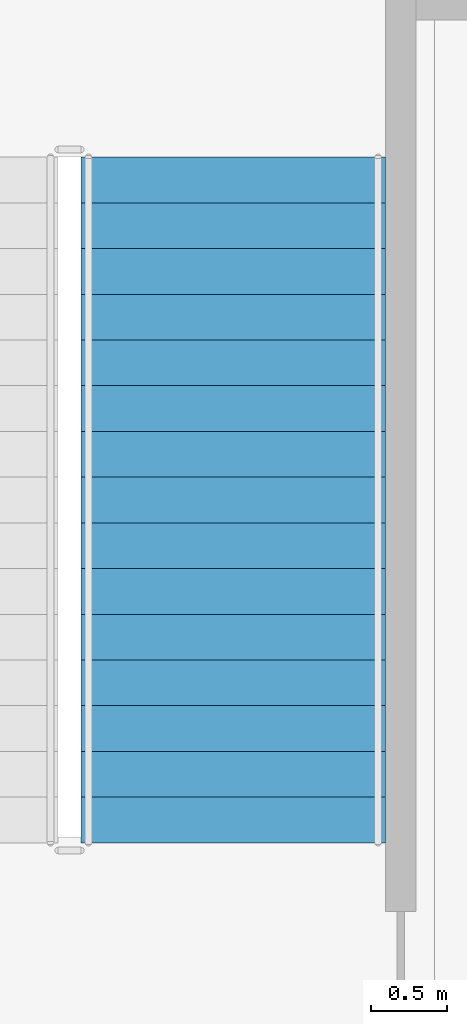
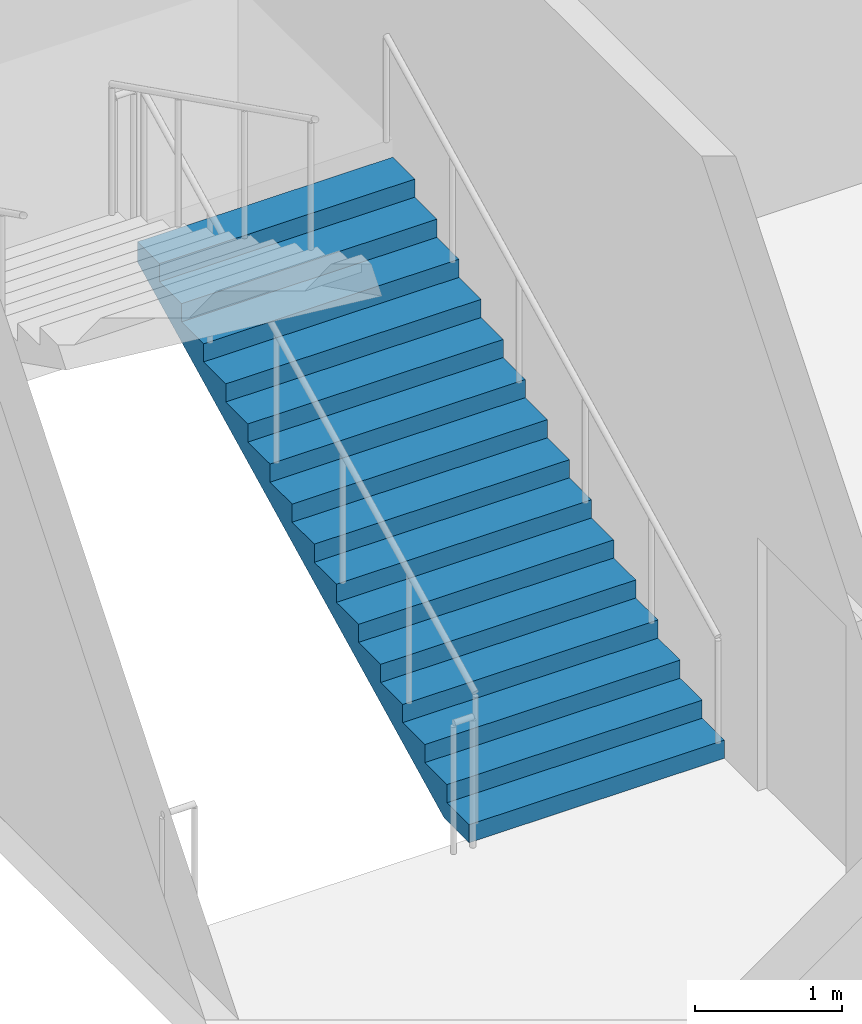
# One storey, part 46 of 91: 1 stair flight, 1 element without a shape of its own.
"""IFC4 building model written with IfcOpenShell, lengths in metres."""

from ifc_helpers import new_model, si_unit, direction, frame, origin, place, context, subcontext, project, spatial, faceted_brep, material, type_object, element, aggregate, save


model = new_model("IFC4")

# Units and contexts
model_context = context("Model", 3, precision=1e-05, world=origin(), true_north=direction((0.0, 1.0)))
body_context = subcontext(model_context, "Body", "Model", "MODEL_VIEW")
ifc_project = project(units=[si_unit("LENGTHUNIT", "METRE"), si_unit("AREAUNIT", "SQUARE_METRE"), si_unit("VOLUMEUNIT", "CUBIC_METRE"), si_unit("PLANEANGLEUNIT", "RADIAN"), si_unit("MASSUNIT", "GRAM", prefix="KILO")], contexts=[model_context])

# Site, building, storey
site_placement = place(None, origin())
site = spatial("IfcSite", under=ifc_project, at=site_placement, CompositionType="ELEMENT")
building_placement = place(site_placement, origin())
building = spatial("IfcBuilding", under=site, at=building_placement, Name="Kiln Court Media Centre", CompositionType="ELEMENT")
storey_placement = place(building_placement, frame((0.0, 0.0, 5.39990234375)))
storey = spatial("IfcBuildingStorey", under=building, at=storey_placement, Name="L01", CompositionType="ELEMENT", Elevation=5.39990234375)

# Stair, stair flight
ifc_material_1 = material(Name="Concrete C40/50", Category="concrete")
stair_type = type_object("IfcStairType", Name="Concrete C40/50 dog-leg stair 2000 wide, 150 riser", PredefinedType="HALF_TURN_STAIR", material=ifc_material_1)
stair_placement = place(storey_placement, origin())
stair = element("IfcStair", 1, at=stair_placement, inside=storey, type_object=stair_type, Name="ST-06 L01", PredefinedType="HALF_TURN_STAIR")
ifc_material_2 = material(Name="Concrete C40/50", Category="concrete")
stair_flight_type = type_object("IfcStairFlightType", Name="Concrete C40/50 stair flight 2000 wide, 150 riser, 300 going", PredefinedType="STRAIGHT", material=ifc_material_2)
stair_flight_placement = place(storey_placement, frame((3.60009765625, 36.39990234375, 0.0), z_axis=(0.0, 0.0, 1.0), x_axis=(0.0, 1.0, 0.0)))
stair_flight = element("IfcStairFlight", 2, at=stair_flight_placement, type_object=stair_flight_type, Name="L01-ST-5005 flight 5010", NumberOfRisers=16, NumberOfTreads=15, PredefinedType="STRAIGHT", RiserHeight=0.15, TreadLength=0.3, context=body_context, shape_type="Brep", body=[
    faceted_brep([(0.335205078125, -1.0, 0.0), (4.5, -1.0, 2.08251953125), (4.5, -1.0, 2.25), (4.199951171875, -1.0, 2.25), (4.199951171875, -1.0, 2.10009765625), (3.89990234375, -1.0, 2.10009765625), (3.89990234375, -1.0, 1.949951171875), (3.60009765625, -1.0, 1.949951171875), (3.60009765625, -1.0, 1.800048828125), (3.300048828125, -1.0, 1.800048828125), (3.300048828125, -1.0, 1.64990234375), (3.0, -1.0, 1.64990234375), (3.0, -1.0, 1.5), (2.699951171875, -1.0, 1.5), (2.699951171875, -1.0, 1.35009765625), (2.39990234375, -1.0, 1.35009765625), (2.39990234375, -1.0, 1.199951171875), (2.10009765625, -1.0, 1.199951171875), (2.10009765625, -1.0, 1.050048828125), (1.800048828125, -1.0, 1.050048828125), (1.800048828125, -1.0, 0.89990234375), (1.5, -1.0, 0.89990234375), (1.5, -1.0, 0.75), (1.199951171875, -1.0, 0.75), (1.199951171875, -1.0, 0.60009765625), (0.89990234375, -1.0, 0.60009765625), (0.89990234375, -1.0, 0.449951171875), (0.60009765625, -1.0, 0.449951171875), (0.60009765625, -1.0, 0.300048828125), (0.300048828125, -1.0, 0.300048828125), (0.300048828125, -1.0, 0.14990234375), (0.0, -1.0, 0.14990234375), (0.0, -1.0, 0.0), (0.0, 1.0, 0.0), (0.0, 1.0, 0.14990234375), (0.300048828125, 1.0, 0.14990234375), (0.300048828125, 1.0, 0.300048828125), (0.60009765625, 1.0, 0.300048828125), (0.60009765625, 1.0, 0.449951171875), (0.89990234375, 1.0, 0.449951171875), (0.89990234375, 1.0, 0.60009765625), (1.199951171875, 1.0, 0.60009765625), (1.199951171875, 1.0, 0.75), (1.5, 1.0, 0.75), (1.5, 1.0, 0.89990234375), (1.800048828125, 1.0, 0.89990234375), (1.800048828125, 1.0, 1.050048828125), (2.10009765625, 1.0, 1.050048828125), (2.10009765625, 1.0, 1.199951171875), (2.39990234375, 1.0, 1.199951171875), (2.39990234375, 1.0, 1.35009765625), (2.699951171875, 1.0, 1.35009765625), (2.699951171875, 1.0, 1.5), (3.0, 1.0, 1.5), (3.0, 1.0, 1.64990234375), (3.300048828125, 1.0, 1.64990234375), (3.300048828125, 1.0, 1.800048828125), (3.60009765625, 1.0, 1.800048828125), (3.60009765625, 1.0, 1.949951171875), (3.89990234375, 1.0, 1.949951171875), (3.89990234375, 1.0, 2.10009765625), (4.199951171875, 1.0, 2.10009765625), (4.199951171875, 1.0, 2.25), (4.5, 1.0, 2.25), (4.5, 1.0, 2.08251953125), (0.335205078125, 1.0, 0.0), (4.5, 0.10009765625, 2.08251953125), (0.335205078125, 0.10009765625, 0.0), (4.5, 0.080078125, 2.08251953125), (0.335205078125, 0.080078125, 0.0), (4.5, 0.06005859375, 2.08251953125), (0.335205078125, 0.06005859375, 0.0), (4.5, 0.0400390625, 2.08251953125), (0.335205078125, 0.0400390625, 0.0), (4.5, 0.02001953125, 2.08251953125), (0.335205078125, 0.02001953125, 0.0), (4.5, 0.0, 2.08251953125), (0.335205078125, 0.0, 0.0), (4.5, -0.02001953125, 2.08251953125), (0.335205078125, -0.02001953125, 0.0), (4.5, -0.0400390625, 2.08251953125), (0.335205078125, -0.0400390625, 0.0), (4.5, -0.06005859375, 2.08251953125), (0.335205078125, -0.06005859375, 0.0), (4.5, -0.080078125, 2.08251953125), (0.335205078125, -0.080078125, 0.0), (4.5, -0.10009765625, 2.08251953125), (0.335205078125, -0.10009765625, 0.0), (4.5, 0.10009765625, 2.25), (4.5, 0.080078125, 2.25), (4.5, 0.06005859375, 2.25), (4.5, 0.0400390625, 2.25), (4.5, 0.02001953125, 2.25), (4.5, 0.0, 2.25), (4.5, -0.02001953125, 2.25), (4.5, -0.0400390625, 2.25), (4.5, -0.06005859375, 2.25), (4.5, -0.080078125, 2.25), (4.5, -0.10009765625, 2.25), (4.199951171875, 0.10009765625, 2.25), (4.199951171875, 0.080078125, 2.25), (4.199951171875, 0.06005859375, 2.25), (4.199951171875, 0.0400390625, 2.25), (4.199951171875, 0.02001953125, 2.25), (4.199951171875, 0.0, 2.25), (4.199951171875, -0.02001953125, 2.25), (4.199951171875, -0.0400390625, 2.25), (4.199951171875, -0.06005859375, 2.25), (4.199951171875, -0.080078125, 2.25), (4.199951171875, -0.10009765625, 2.25), (4.199951171875, 0.10009765625, 2.10009765625), (4.199951171875, 0.080078125, 2.10009765625), (4.199951171875, 0.06005859375, 2.10009765625), (4.199951171875, 0.0400390625, 2.10009765625), (4.199951171875, 0.02001953125, 2.10009765625), (4.199951171875, 0.0, 2.10009765625), (4.199951171875, -0.02001953125, 2.10009765625), (4.199951171875, -0.0400390625, 2.10009765625), (4.199951171875, -0.06005859375, 2.10009765625), (4.199951171875, -0.080078125, 2.10009765625), (4.199951171875, -0.10009765625, 2.10009765625), (3.89990234375, 0.10009765625, 2.10009765625), (3.89990234375, 0.080078125, 2.10009765625), (3.89990234375, 0.06005859375, 2.10009765625), (3.89990234375, 0.0400390625, 2.10009765625), (3.89990234375, 0.02001953125, 2.10009765625), (3.89990234375, 0.0, 2.10009765625), (3.89990234375, -0.02001953125, 2.10009765625), (3.89990234375, -0.0400390625, 2.10009765625), (3.89990234375, -0.06005859375, 2.10009765625), (3.89990234375, -0.080078125, 2.10009765625), (3.89990234375, -0.10009765625, 2.10009765625), (3.89990234375, 0.10009765625, 1.949951171875), (3.89990234375, 0.080078125, 1.949951171875), (3.89990234375, 0.06005859375, 1.949951171875), (3.89990234375, 0.0400390625, 1.949951171875), (3.89990234375, 0.02001953125, 1.949951171875), (3.89990234375, 0.0, 1.949951171875), (3.89990234375, -0.02001953125, 1.949951171875), (3.89990234375, -0.0400390625, 1.949951171875), (3.89990234375, -0.06005859375, 1.949951171875), (3.89990234375, -0.080078125, 1.949951171875), (3.89990234375, -0.10009765625, 1.949951171875), (3.60009765625, 0.10009765625, 1.949951171875), (3.60009765625, 0.080078125, 1.949951171875), (3.60009765625, 0.06005859375, 1.949951171875), (3.60009765625, 0.0400390625, 1.949951171875), (3.60009765625, 0.02001953125, 1.949951171875), (3.60009765625, 0.0, 1.949951171875), (3.60009765625, -0.02001953125, 1.949951171875), (3.60009765625, -0.0400390625, 1.949951171875), (3.60009765625, -0.06005859375, 1.949951171875), (3.60009765625, -0.080078125, 1.949951171875), (3.60009765625, -0.10009765625, 1.949951171875), (3.60009765625, 0.10009765625, 1.800048828125), (3.60009765625, 0.080078125, 1.800048828125), (3.60009765625, 0.06005859375, 1.800048828125), (3.60009765625, 0.0400390625, 1.800048828125), (3.60009765625, 0.02001953125, 1.800048828125), (3.60009765625, 0.0, 1.800048828125), (3.60009765625, -0.02001953125, 1.800048828125), (3.60009765625, -0.0400390625, 1.800048828125), (3.60009765625, -0.06005859375, 1.800048828125), (3.60009765625, -0.080078125, 1.800048828125), (3.60009765625, -0.10009765625, 1.800048828125), (3.300048828125, 0.10009765625, 1.800048828125), (3.300048828125, 0.080078125, 1.800048828125), (3.300048828125, 0.06005859375, 1.800048828125), (3.300048828125, 0.0400390625, 1.800048828125), (3.300048828125, 0.02001953125, 1.800048828125), (3.300048828125, 0.0, 1.800048828125), (3.300048828125, -0.02001953125, 1.800048828125), (3.300048828125, -0.0400390625, 1.800048828125), (3.300048828125, -0.06005859375, 1.800048828125), (3.300048828125, -0.080078125, 1.800048828125), (3.300048828125, -0.10009765625, 1.800048828125), (3.300048828125, 0.10009765625, 1.64990234375), (3.300048828125, 0.080078125, 1.64990234375), (3.300048828125, 0.06005859375, 1.64990234375), (3.300048828125, 0.0400390625, 1.64990234375), (3.300048828125, 0.02001953125, 1.64990234375), (3.300048828125, 0.0, 1.64990234375), (3.300048828125, -0.02001953125, 1.64990234375), (3.300048828125, -0.0400390625, 1.64990234375), (3.300048828125, -0.06005859375, 1.64990234375), (3.300048828125, -0.080078125, 1.64990234375), (3.300048828125, -0.10009765625, 1.64990234375), (3.0, 0.10009765625, 1.64990234375), (3.0, 0.080078125, 1.64990234375), (3.0, 0.06005859375, 1.64990234375), (3.0, 0.0400390625, 1.64990234375), (3.0, 0.02001953125, 1.64990234375), (3.0, 0.0, 1.64990234375), (3.0, -0.02001953125, 1.64990234375), (3.0, -0.0400390625, 1.64990234375), (3.0, -0.06005859375, 1.64990234375), (3.0, -0.080078125, 1.64990234375), (3.0, -0.10009765625, 1.64990234375), (3.0, 0.10009765625, 1.5), (3.0, 0.080078125, 1.5), (3.0, 0.06005859375, 1.5), (3.0, 0.0400390625, 1.5), (3.0, 0.02001953125, 1.5), (3.0, 0.0, 1.5), (3.0, -0.02001953125, 1.5), (3.0, -0.0400390625, 1.5), (3.0, -0.06005859375, 1.5), (3.0, -0.080078125, 1.5), (3.0, -0.10009765625, 1.5), (2.699951171875, 0.10009765625, 1.5), (2.699951171875, 0.080078125, 1.5), (2.699951171875, 0.06005859375, 1.5), (2.699951171875, 0.0400390625, 1.5), (2.699951171875, 0.02001953125, 1.5), (2.699951171875, 0.0, 1.5), (2.699951171875, -0.02001953125, 1.5), (2.699951171875, -0.0400390625, 1.5), (2.699951171875, -0.06005859375, 1.5), (2.699951171875, -0.080078125, 1.5), (2.699951171875, -0.10009765625, 1.5), (2.699951171875, 0.10009765625, 1.35009765625), (2.699951171875, 0.080078125, 1.35009765625), (2.699951171875, 0.06005859375, 1.35009765625), (2.699951171875, 0.0400390625, 1.35009765625), (2.699951171875, 0.02001953125, 1.35009765625), (2.699951171875, 0.0, 1.35009765625), (2.699951171875, -0.02001953125, 1.35009765625), (2.699951171875, -0.0400390625, 1.35009765625), (2.699951171875, -0.06005859375, 1.35009765625), (2.699951171875, -0.080078125, 1.35009765625), (2.699951171875, -0.10009765625, 1.35009765625), (2.39990234375, 0.10009765625, 1.35009765625), (2.39990234375, 0.080078125, 1.35009765625), (2.39990234375, 0.06005859375, 1.35009765625), (2.39990234375, 0.0400390625, 1.35009765625), (2.39990234375, 0.02001953125, 1.35009765625), (2.39990234375, 0.0, 1.35009765625), (2.39990234375, -0.02001953125, 1.35009765625), (2.39990234375, -0.0400390625, 1.35009765625), (2.39990234375, -0.06005859375, 1.35009765625), (2.39990234375, -0.080078125, 1.35009765625), (2.39990234375, -0.10009765625, 1.35009765625), (2.39990234375, 0.10009765625, 1.199951171875), (2.39990234375, 0.080078125, 1.199951171875), (2.39990234375, 0.06005859375, 1.199951171875), (2.39990234375, 0.0400390625, 1.199951171875), (2.39990234375, 0.02001953125, 1.199951171875), (2.39990234375, 0.0, 1.199951171875), (2.39990234375, -0.02001953125, 1.199951171875), (2.39990234375, -0.0400390625, 1.199951171875), (2.39990234375, -0.06005859375, 1.199951171875), (2.39990234375, -0.080078125, 1.199951171875), (2.39990234375, -0.10009765625, 1.199951171875), (2.10009765625, 0.10009765625, 1.199951171875), (2.10009765625, 0.080078125, 1.199951171875), (2.10009765625, 0.06005859375, 1.199951171875), (2.10009765625, 0.0400390625, 1.199951171875), (2.10009765625, 0.02001953125, 1.199951171875), (2.10009765625, 0.0, 1.199951171875), (2.10009765625, -0.02001953125, 1.199951171875), (2.10009765625, -0.0400390625, 1.199951171875), (2.10009765625, -0.06005859375, 1.199951171875), (2.10009765625, -0.080078125, 1.199951171875), (2.10009765625, -0.10009765625, 1.199951171875), (2.10009765625, 0.10009765625, 1.050048828125), (2.10009765625, 0.080078125, 1.050048828125), (2.10009765625, 0.06005859375, 1.050048828125), (2.10009765625, 0.0400390625, 1.050048828125), (2.10009765625, 0.02001953125, 1.050048828125), (2.10009765625, 0.0, 1.050048828125), (2.10009765625, -0.02001953125, 1.050048828125), (2.10009765625, -0.0400390625, 1.050048828125), (2.10009765625, -0.06005859375, 1.050048828125), (2.10009765625, -0.080078125, 1.050048828125), (2.10009765625, -0.10009765625, 1.050048828125), (1.800048828125, 0.10009765625, 1.050048828125), (1.800048828125, 0.080078125, 1.050048828125), (1.800048828125, 0.06005859375, 1.050048828125), (1.800048828125, 0.0400390625, 1.050048828125), (1.800048828125, 0.02001953125, 1.050048828125), (1.800048828125, 0.0, 1.050048828125), (1.800048828125, -0.02001953125, 1.050048828125), (1.800048828125, -0.0400390625, 1.050048828125), (1.800048828125, -0.06005859375, 1.050048828125), (1.800048828125, -0.080078125, 1.050048828125), (1.800048828125, -0.10009765625, 1.050048828125), (1.800048828125, 0.10009765625, 0.89990234375), (1.800048828125, 0.080078125, 0.89990234375), (1.800048828125, 0.06005859375, 0.89990234375), (1.800048828125, 0.0400390625, 0.89990234375), (1.800048828125, 0.02001953125, 0.89990234375), (1.800048828125, 0.0, 0.89990234375), (1.800048828125, -0.02001953125, 0.89990234375), (1.800048828125, -0.0400390625, 0.89990234375), (1.800048828125, -0.06005859375, 0.89990234375), (1.800048828125, -0.080078125, 0.89990234375), (1.800048828125, -0.10009765625, 0.89990234375), (1.5, 0.10009765625, 0.89990234375), (1.5, 0.080078125, 0.89990234375), (1.5, 0.06005859375, 0.89990234375), (1.5, 0.0400390625, 0.89990234375), (1.5, 0.02001953125, 0.89990234375), (1.5, 0.0, 0.89990234375), (1.5, -0.02001953125, 0.89990234375), (1.5, -0.0400390625, 0.89990234375), (1.5, -0.06005859375, 0.89990234375), (1.5, -0.080078125, 0.89990234375), (1.5, -0.10009765625, 0.89990234375), (1.5, 0.10009765625, 0.75), (1.5, 0.080078125, 0.75), (1.5, 0.06005859375, 0.75), (1.5, 0.0400390625, 0.75), (1.5, 0.02001953125, 0.75), (1.5, 0.0, 0.75), (1.5, -0.02001953125, 0.75), (1.5, -0.0400390625, 0.75), (1.5, -0.06005859375, 0.75), (1.5, -0.080078125, 0.75), (1.5, -0.10009765625, 0.75), (1.199951171875, 0.10009765625, 0.75), (1.199951171875, 0.080078125, 0.75), (1.199951171875, 0.06005859375, 0.75), (1.199951171875, 0.0400390625, 0.75), (1.199951171875, 0.02001953125, 0.75), (1.199951171875, 0.0, 0.75), (1.199951171875, -0.02001953125, 0.75), (1.199951171875, -0.0400390625, 0.75), (1.199951171875, -0.06005859375, 0.75), (1.199951171875, -0.080078125, 0.75), (1.199951171875, -0.10009765625, 0.75), (1.199951171875, 0.10009765625, 0.60009765625), (1.199951171875, 0.080078125, 0.60009765625), (1.199951171875, 0.06005859375, 0.60009765625), (1.199951171875, 0.0400390625, 0.60009765625), (1.199951171875, 0.02001953125, 0.60009765625), (1.199951171875, 0.0, 0.60009765625), (1.199951171875, -0.02001953125, 0.60009765625), (1.199951171875, -0.0400390625, 0.60009765625), (1.199951171875, -0.06005859375, 0.60009765625), (1.199951171875, -0.080078125, 0.60009765625), (1.199951171875, -0.10009765625, 0.60009765625), (0.89990234375, 0.10009765625, 0.60009765625), (0.89990234375, 0.080078125, 0.60009765625), (0.89990234375, 0.06005859375, 0.60009765625), (0.89990234375, 0.0400390625, 0.60009765625), (0.89990234375, 0.02001953125, 0.60009765625), (0.89990234375, 0.0, 0.60009765625), (0.89990234375, -0.02001953125, 0.60009765625), (0.89990234375, -0.0400390625, 0.60009765625), (0.89990234375, -0.06005859375, 0.60009765625), (0.89990234375, -0.080078125, 0.60009765625), (0.89990234375, -0.10009765625, 0.60009765625), (0.89990234375, 0.10009765625, 0.449951171875), (0.89990234375, 0.080078125, 0.449951171875), (0.89990234375, 0.06005859375, 0.449951171875), (0.89990234375, 0.0400390625, 0.449951171875), (0.89990234375, 0.02001953125, 0.449951171875), (0.89990234375, 0.0, 0.449951171875), (0.89990234375, -0.02001953125, 0.449951171875), (0.89990234375, -0.0400390625, 0.449951171875), (0.89990234375, -0.06005859375, 0.449951171875), (0.89990234375, -0.080078125, 0.449951171875), (0.89990234375, -0.10009765625, 0.449951171875), (0.60009765625, 0.10009765625, 0.449951171875), (0.60009765625, 0.080078125, 0.449951171875), (0.60009765625, 0.06005859375, 0.449951171875), (0.60009765625, 0.0400390625, 0.449951171875), (0.60009765625, 0.02001953125, 0.449951171875), (0.60009765625, 0.0, 0.449951171875), (0.60009765625, -0.02001953125, 0.449951171875), (0.60009765625, -0.0400390625, 0.449951171875), (0.60009765625, -0.06005859375, 0.449951171875), (0.60009765625, -0.080078125, 0.449951171875), (0.60009765625, -0.10009765625, 0.449951171875), (0.60009765625, 0.10009765625, 0.300048828125), (0.60009765625, 0.080078125, 0.300048828125), (0.60009765625, 0.06005859375, 0.300048828125), (0.60009765625, 0.0400390625, 0.300048828125), (0.60009765625, 0.02001953125, 0.300048828125), (0.60009765625, 0.0, 0.300048828125), (0.60009765625, -0.02001953125, 0.300048828125), (0.60009765625, -0.0400390625, 0.300048828125), (0.60009765625, -0.06005859375, 0.300048828125), (0.60009765625, -0.080078125, 0.300048828125), (0.60009765625, -0.10009765625, 0.300048828125), (0.300048828125, 0.10009765625, 0.300048828125), (0.300048828125, 0.080078125, 0.300048828125), (0.300048828125, 0.06005859375, 0.300048828125), (0.300048828125, 0.0400390625, 0.300048828125), (0.300048828125, 0.02001953125, 0.300048828125), (0.300048828125, 0.0, 0.300048828125), (0.300048828125, -0.02001953125, 0.300048828125), (0.300048828125, -0.0400390625, 0.300048828125), (0.300048828125, -0.06005859375, 0.300048828125), (0.300048828125, -0.080078125, 0.300048828125), (0.300048828125, -0.10009765625, 0.300048828125), (0.300048828125, 0.10009765625, 0.14990234375), (0.300048828125, 0.080078125, 0.14990234375), (0.300048828125, 0.06005859375, 0.14990234375), (0.300048828125, 0.0400390625, 0.14990234375), (0.300048828125, 0.02001953125, 0.14990234375), (0.300048828125, 0.0, 0.14990234375), (0.300048828125, -0.02001953125, 0.14990234375), (0.300048828125, -0.0400390625, 0.14990234375), (0.300048828125, -0.06005859375, 0.14990234375), (0.300048828125, -0.080078125, 0.14990234375), (0.300048828125, -0.10009765625, 0.14990234375), (0.0, 0.10009765625, 0.14990234375), (0.0, 0.080078125, 0.14990234375), (0.0, 0.06005859375, 0.14990234375), (0.0, 0.0400390625, 0.14990234375), (0.0, 0.02001953125, 0.14990234375), (0.0, 0.0, 0.14990234375), (0.0, -0.02001953125, 0.14990234375), (0.0, -0.0400390625, 0.14990234375), (0.0, -0.06005859375, 0.14990234375), (0.0, -0.080078125, 0.14990234375), (0.0, -0.10009765625, 0.14990234375), (0.0, 0.10009765625, 0.0), (0.0, 0.080078125, 0.0), (0.0, 0.06005859375, 0.0), (0.0, 0.0400390625, 0.0), (0.0, 0.02001953125, 0.0), (0.0, 0.0, 0.0), (0.0, -0.02001953125, 0.0), (0.0, -0.0400390625, 0.0), (0.0, -0.06005859375, 0.0), (0.0, -0.080078125, 0.0), (0.0, -0.10009765625, 0.0)], [[[0, 1, 2, 3, 4, 5, 6, 7, 8, 9, 10, 11, 12, 13, 14, 15, 16, 17, 18, 19, 20, 21, 22, 23, 24, 25, 26, 27, 28, 29, 30, 31, 32]], [[33, 34, 35, 36, 37, 38, 39, 40, 41, 42, 43, 44, 45, 46, 47, 48, 49, 50, 51, 52, 53, 54, 55, 56, 57, 58, 59, 60, 61, 62, 63, 64, 65]], [[65, 64, 66, 67]], [[67, 66, 68, 69]], [[69, 68, 70, 71]], [[71, 70, 72, 73]], [[73, 72, 74, 75]], [[75, 74, 76, 77]], [[77, 76, 78, 79]], [[79, 78, 80, 81]], [[81, 80, 82, 83]], [[83, 82, 84, 85]], [[85, 84, 86, 87]], [[87, 86, 1, 0]], [[64, 63, 88, 66]], [[66, 88, 89, 68]], [[68, 89, 90, 70]], [[70, 90, 91, 72]], [[72, 91, 92, 74]], [[74, 92, 93, 76]], [[76, 93, 94, 78]], [[78, 94, 95, 80]], [[80, 95, 96, 82]], [[82, 96, 97, 84]], [[84, 97, 98, 86]], [[86, 98, 2, 1]], [[63, 62, 99, 88]], [[88, 99, 100, 89]], [[89, 100, 101, 90]], [[90, 101, 102, 91]], [[91, 102, 103, 92]], [[92, 103, 104, 93]], [[93, 104, 105, 94]], [[94, 105, 106, 95]], [[95, 106, 107, 96]], [[96, 107, 108, 97]], [[97, 108, 109, 98]], [[98, 109, 3, 2]], [[62, 61, 110, 99]], [[99, 110, 111, 100]], [[100, 111, 112, 101]], [[101, 112, 113, 102]], [[102, 113, 114, 103]], [[103, 114, 115, 104]], [[104, 115, 116, 105]], [[105, 116, 117, 106]], [[106, 117, 118, 107]], [[107, 118, 119, 108]], [[108, 119, 120, 109]], [[109, 120, 4, 3]], [[61, 60, 121, 110]], [[110, 121, 122, 111]], [[111, 122, 123, 112]], [[112, 123, 124, 113]], [[113, 124, 125, 114]], [[114, 125, 126, 115]], [[115, 126, 127, 116]], [[116, 127, 128, 117]], [[117, 128, 129, 118]], [[118, 129, 130, 119]], [[119, 130, 131, 120]], [[120, 131, 5, 4]], [[60, 59, 132, 121]], [[121, 132, 133, 122]], [[122, 133, 134, 123]], [[123, 134, 135, 124]], [[124, 135, 136, 125]], [[125, 136, 137, 126]], [[126, 137, 138, 127]], [[127, 138, 139, 128]], [[128, 139, 140, 129]], [[129, 140, 141, 130]], [[130, 141, 142, 131]], [[131, 142, 6, 5]], [[59, 58, 143, 132]], [[132, 143, 144, 133]], [[133, 144, 145, 134]], [[134, 145, 146, 135]], [[135, 146, 147, 136]], [[136, 147, 148, 137]], [[137, 148, 149, 138]], [[138, 149, 150, 139]], [[139, 150, 151, 140]], [[140, 151, 152, 141]], [[141, 152, 153, 142]], [[142, 153, 7, 6]], [[58, 57, 154, 143]], [[143, 154, 155, 144]], [[144, 155, 156, 145]], [[145, 156, 157, 146]], [[146, 157, 158, 147]], [[147, 158, 159, 148]], [[148, 159, 160, 149]], [[149, 160, 161, 150]], [[150, 161, 162, 151]], [[151, 162, 163, 152]], [[152, 163, 164, 153]], [[153, 164, 8, 7]], [[57, 56, 165, 154]], [[154, 165, 166, 155]], [[155, 166, 167, 156]], [[156, 167, 168, 157]], [[157, 168, 169, 158]], [[158, 169, 170, 159]], [[159, 170, 171, 160]], [[160, 171, 172, 161]], [[161, 172, 173, 162]], [[162, 173, 174, 163]], [[163, 174, 175, 164]], [[164, 175, 9, 8]], [[56, 55, 176, 165]], [[165, 176, 177, 166]], [[166, 177, 178, 167]], [[167, 178, 179, 168]], [[168, 179, 180, 169]], [[169, 180, 181, 170]], [[170, 181, 182, 171]], [[171, 182, 183, 172]], [[172, 183, 184, 173]], [[173, 184, 185, 174]], [[174, 185, 186, 175]], [[175, 186, 10, 9]], [[55, 54, 187, 176]], [[176, 187, 188, 177]], [[177, 188, 189, 178]], [[178, 189, 190, 179]], [[179, 190, 191, 180]], [[180, 191, 192, 181]], [[181, 192, 193, 182]], [[182, 193, 194, 183]], [[183, 194, 195, 184]], [[184, 195, 196, 185]], [[185, 196, 197, 186]], [[186, 197, 11, 10]], [[54, 53, 198, 187]], [[187, 198, 199, 188]], [[188, 199, 200, 189]], [[189, 200, 201, 190]], [[190, 201, 202, 191]], [[191, 202, 203, 192]], [[192, 203, 204, 193]], [[193, 204, 205, 194]], [[194, 205, 206, 195]], [[195, 206, 207, 196]], [[196, 207, 208, 197]], [[197, 208, 12, 11]], [[53, 52, 209, 198]], [[198, 209, 210, 199]], [[199, 210, 211, 200]], [[200, 211, 212, 201]], [[201, 212, 213, 202]], [[202, 213, 214, 203]], [[203, 214, 215, 204]], [[204, 215, 216, 205]], [[205, 216, 217, 206]], [[206, 217, 218, 207]], [[207, 218, 219, 208]], [[208, 219, 13, 12]], [[52, 51, 220, 209]], [[209, 220, 221, 210]], [[210, 221, 222, 211]], [[211, 222, 223, 212]], [[212, 223, 224, 213]], [[213, 224, 225, 214]], [[214, 225, 226, 215]], [[215, 226, 227, 216]], [[216, 227, 228, 217]], [[217, 228, 229, 218]], [[218, 229, 230, 219]], [[219, 230, 14, 13]], [[51, 50, 231, 220]], [[220, 231, 232, 221]], [[221, 232, 233, 222]], [[222, 233, 234, 223]], [[223, 234, 235, 224]], [[224, 235, 236, 225]], [[225, 236, 237, 226]], [[226, 237, 238, 227]], [[227, 238, 239, 228]], [[228, 239, 240, 229]], [[229, 240, 241, 230]], [[230, 241, 15, 14]], [[50, 49, 242, 231]], [[231, 242, 243, 232]], [[232, 243, 244, 233]], [[233, 244, 245, 234]], [[234, 245, 246, 235]], [[235, 246, 247, 236]], [[236, 247, 248, 237]], [[237, 248, 249, 238]], [[238, 249, 250, 239]], [[239, 250, 251, 240]], [[240, 251, 252, 241]], [[241, 252, 16, 15]], [[49, 48, 253, 242]], [[242, 253, 254, 243]], [[243, 254, 255, 244]], [[244, 255, 256, 245]], [[245, 256, 257, 246]], [[246, 257, 258, 247]], [[247, 258, 259, 248]], [[248, 259, 260, 249]], [[249, 260, 261, 250]], [[250, 261, 262, 251]], [[251, 262, 263, 252]], [[252, 263, 17, 16]], [[48, 47, 264, 253]], [[253, 264, 265, 254]], [[254, 265, 266, 255]], [[255, 266, 267, 256]], [[256, 267, 268, 257]], [[257, 268, 269, 258]], [[258, 269, 270, 259]], [[259, 270, 271, 260]], [[260, 271, 272, 261]], [[261, 272, 273, 262]], [[262, 273, 274, 263]], [[263, 274, 18, 17]], [[47, 46, 275, 264]], [[264, 275, 276, 265]], [[265, 276, 277, 266]], [[266, 277, 278, 267]], [[267, 278, 279, 268]], [[268, 279, 280, 269]], [[269, 280, 281, 270]], [[270, 281, 282, 271]], [[271, 282, 283, 272]], [[272, 283, 284, 273]], [[273, 284, 285, 274]], [[274, 285, 19, 18]], [[46, 45, 286, 275]], [[275, 286, 287, 276]], [[276, 287, 288, 277]], [[277, 288, 289, 278]], [[278, 289, 290, 279]], [[279, 290, 291, 280]], [[280, 291, 292, 281]], [[281, 292, 293, 282]], [[282, 293, 294, 283]], [[283, 294, 295, 284]], [[284, 295, 296, 285]], [[285, 296, 20, 19]], [[45, 44, 297, 286]], [[286, 297, 298, 287]], [[287, 298, 299, 288]], [[288, 299, 300, 289]], [[289, 300, 301, 290]], [[290, 301, 302, 291]], [[291, 302, 303, 292]], [[292, 303, 304, 293]], [[293, 304, 305, 294]], [[294, 305, 306, 295]], [[295, 306, 307, 296]], [[296, 307, 21, 20]], [[44, 43, 308, 297]], [[297, 308, 309, 298]], [[298, 309, 310, 299]], [[299, 310, 311, 300]], [[300, 311, 312, 301]], [[301, 312, 313, 302]], [[302, 313, 314, 303]], [[303, 314, 315, 304]], [[304, 315, 316, 305]], [[305, 316, 317, 306]], [[306, 317, 318, 307]], [[307, 318, 22, 21]], [[43, 42, 319, 308]], [[308, 319, 320, 309]], [[309, 320, 321, 310]], [[310, 321, 322, 311]], [[311, 322, 323, 312]], [[312, 323, 324, 313]], [[313, 324, 325, 314]], [[314, 325, 326, 315]], [[315, 326, 327, 316]], [[316, 327, 328, 317]], [[317, 328, 329, 318]], [[318, 329, 23, 22]], [[42, 41, 330, 319]], [[319, 330, 331, 320]], [[320, 331, 332, 321]], [[321, 332, 333, 322]], [[322, 333, 334, 323]], [[323, 334, 335, 324]], [[324, 335, 336, 325]], [[325, 336, 337, 326]], [[326, 337, 338, 327]], [[327, 338, 339, 328]], [[328, 339, 340, 329]], [[329, 340, 24, 23]], [[41, 40, 341, 330]], [[330, 341, 342, 331]], [[331, 342, 343, 332]], [[332, 343, 344, 333]], [[333, 344, 345, 334]], [[334, 345, 346, 335]], [[335, 346, 347, 336]], [[336, 347, 348, 337]], [[337, 348, 349, 338]], [[338, 349, 350, 339]], [[339, 350, 351, 340]], [[340, 351, 25, 24]], [[40, 39, 352, 341]], [[341, 352, 353, 342]], [[342, 353, 354, 343]], [[343, 354, 355, 344]], [[344, 355, 356, 345]], [[345, 356, 357, 346]], [[346, 357, 358, 347]], [[347, 358, 359, 348]], [[348, 359, 360, 349]], [[349, 360, 361, 350]], [[350, 361, 362, 351]], [[351, 362, 26, 25]], [[39, 38, 363, 352]], [[352, 363, 364, 353]], [[353, 364, 365, 354]], [[354, 365, 366, 355]], [[355, 366, 367, 356]], [[356, 367, 368, 357]], [[357, 368, 369, 358]], [[358, 369, 370, 359]], [[359, 370, 371, 360]], [[360, 371, 372, 361]], [[361, 372, 373, 362]], [[362, 373, 27, 26]], [[38, 37, 374, 363]], [[363, 374, 375, 364]], [[364, 375, 376, 365]], [[365, 376, 377, 366]], [[366, 377, 378, 367]], [[367, 378, 379, 368]], [[368, 379, 380, 369]], [[369, 380, 381, 370]], [[370, 381, 382, 371]], [[371, 382, 383, 372]], [[372, 383, 384, 373]], [[373, 384, 28, 27]], [[37, 36, 385, 374]], [[374, 385, 386, 375]], [[375, 386, 387, 376]], [[376, 387, 388, 377]], [[377, 388, 389, 378]], [[378, 389, 390, 379]], [[379, 390, 391, 380]], [[380, 391, 392, 381]], [[381, 392, 393, 382]], [[382, 393, 394, 383]], [[383, 394, 395, 384]], [[384, 395, 29, 28]], [[36, 35, 396, 385]], [[385, 396, 397, 386]], [[386, 397, 398, 387]], [[387, 398, 399, 388]], [[388, 399, 400, 389]], [[389, 400, 401, 390]], [[390, 401, 402, 391]], [[391, 402, 403, 392]], [[392, 403, 404, 393]], [[393, 404, 405, 394]], [[394, 405, 406, 395]], [[395, 406, 30, 29]], [[35, 34, 407, 396]], [[396, 407, 408, 397]], [[397, 408, 409, 398]], [[398, 409, 410, 399]], [[399, 410, 411, 400]], [[400, 411, 412, 401]], [[401, 412, 413, 402]], [[402, 413, 414, 403]], [[403, 414, 415, 404]], [[404, 415, 416, 405]], [[405, 416, 417, 406]], [[406, 417, 31, 30]], [[34, 33, 418, 407]], [[407, 418, 419, 408]], [[408, 419, 420, 409]], [[409, 420, 421, 410]], [[410, 421, 422, 411]], [[411, 422, 423, 412]], [[412, 423, 424, 413]], [[413, 424, 425, 414]], [[414, 425, 426, 415]], [[415, 426, 427, 416]], [[416, 427, 428, 417]], [[417, 428, 32, 31]], [[33, 65, 67, 418]], [[418, 67, 69, 419]], [[419, 69, 71, 420]], [[420, 71, 73, 421]], [[421, 73, 75, 422]], [[422, 75, 77, 423]], [[423, 77, 79, 424]], [[424, 79, 81, 425]], [[425, 81, 83, 426]], [[426, 83, 85, 427]], [[427, 85, 87, 428]], [[428, 87, 0, 32]]]),
])
aggregate(stair, [stair_flight])

save(model, "model.ifc")
